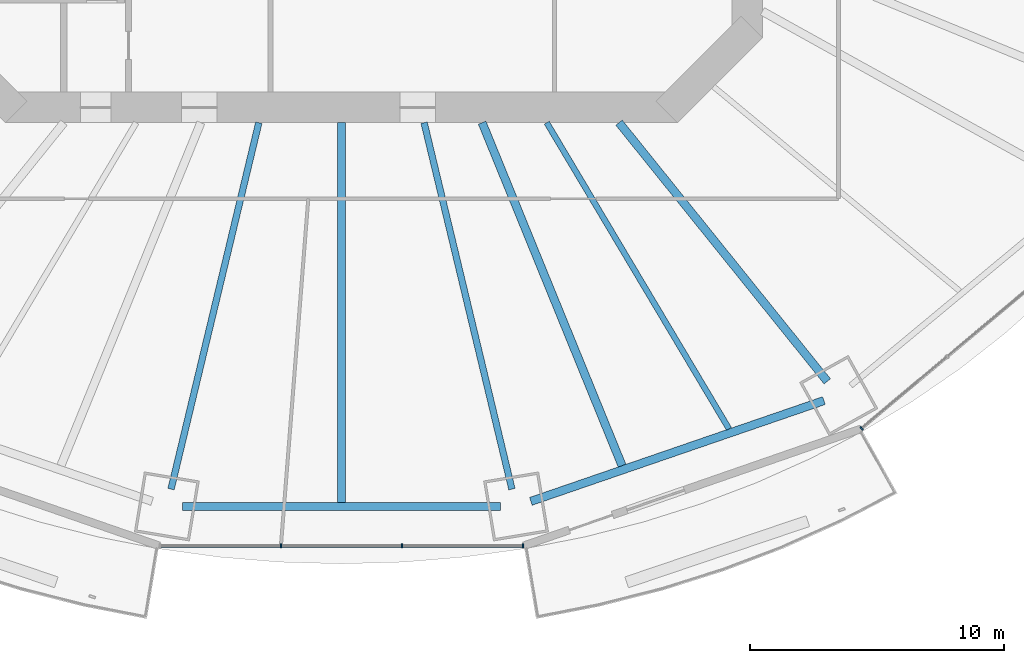
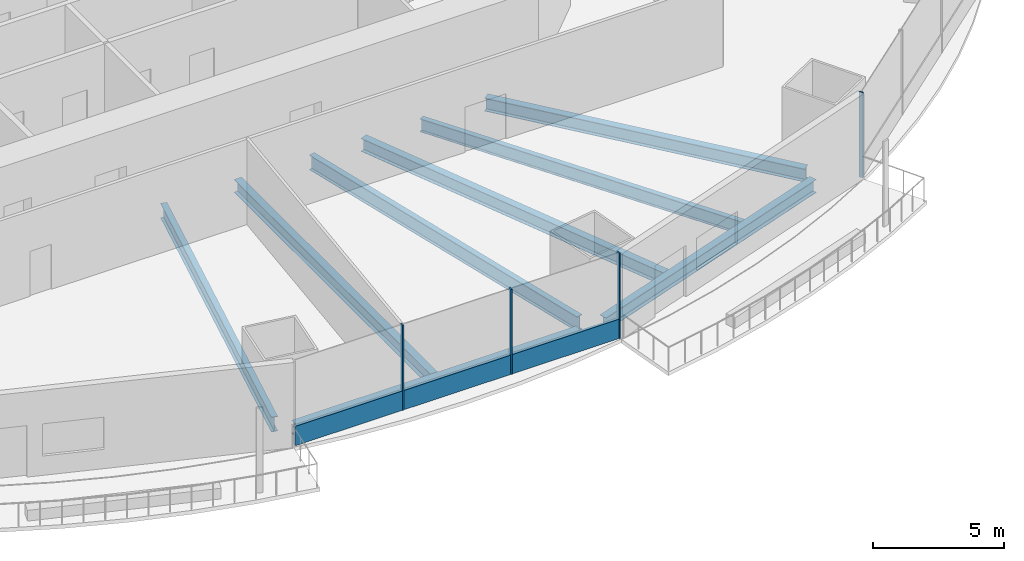
# One storey, part 4 of 23: 8 beams, 5 members, 2 elements without a shape of their own.
"""IFC4 building model written with IfcOpenShell, lengths in metres."""

from ifc_helpers import new_model, si_unit, direction, frame, origin, origin_2d, place, context, subcontext, project, spatial, rectangle, i_section, extrude, material, material_profile, profile_set, type_object, element, aggregate, save


model = new_model("IFC4")

# Units and contexts
model_context = context("Model", 3, precision=1e-05, world=origin(), true_north=direction((0.0, 1.0)))
body_context = subcontext(model_context, "Body", "Model", "MODEL_VIEW")
ifc_project = project(units=[si_unit("LENGTHUNIT", "METRE"), si_unit("AREAUNIT", "SQUARE_METRE"), si_unit("VOLUMEUNIT", "CUBIC_METRE"), si_unit("PLANEANGLEUNIT", "RADIAN"), si_unit("MASSUNIT", "GRAM", prefix="KILO")], contexts=[model_context])

# Site, building, storey
site_placement = place(None, origin())
site = spatial("IfcSite", under=ifc_project, at=site_placement, CompositionType="ELEMENT")
building_placement = place(site_placement, origin())
building = spatial("IfcBuilding", under=site, at=building_placement, Name="Marenthal Gate Tower", CompositionType="ELEMENT")
storey_placement = place(building_placement, frame((0.0, 0.0, 37.14990234375)))
storey = spatial("IfcBuildingStorey", under=building, at=storey_placement, Name="L05", CompositionType="ELEMENT", Elevation=37.14990234375)

# Curtain wall, members
ifc_material_1 = material(Name="Aluminium and glass", Category="aluminium")
curtain_wall_type = type_object("IfcCurtainWallType", Name="Curtain wall typical low", PredefinedType="NOTDEFINED", material=ifc_material_1)
curtain_wall_1_placement = place(storey_placement, origin())
curtain_wall_1 = element("IfcCurtainWall", 1, at=curtain_wall_1_placement, inside=storey, type_object=curtain_wall_type, Name="Curtain wall L05 bay 12", PredefinedType="NOTDEFINED")
ifc_material_2 = material(Name="Aluminium", Category="aluminium")
ifc_material_profile_1 = material_profile(ifc_material_2, rectangle(XDim=0.159912109375, YDim=0.06005859375, at=origin_2d()), Name="60x160 aluminium mullion")
ifc_profile_set_1 = profile_set([ifc_material_profile_1], Name="Aluminium")
member_type_1 = type_object("IfcMemberType", Name="Mullion 60x160 typical low", PredefinedType="MULLION", material=ifc_profile_set_1)
member_1_placement = place(storey_placement, frame((-2.38818359375, -30.28662109375, 0.0), z_axis=(0.0, 0.0, 1.0), x_axis=(0.0, 1.0, 0.0)))
member_1 = element("IfcMember", 2, at=member_1_placement, type_object=member_type_1, Name="Mullion L05 bay 12.2", PredefinedType="MULLION", context=body_context, shape_type="SweptSolid", body=[
    extrude(rectangle(XDim=0.159912109375, YDim=0.06005859375, at=origin_2d()), origin(), (0.0, 0.0, 1.0), 3.97021484375),
])
member_2_placement = place(storey_placement, frame((2.38818359375, -30.28662109375, 0.0), z_axis=(0.0, 0.0, 1.0), x_axis=(0.0, 1.0, 0.0)))
member_2 = element("IfcMember", 3, at=member_2_placement, type_object=member_type_1, Name="Mullion L05 bay 12.3", PredefinedType="MULLION", context=body_context, shape_type="SweptSolid", body=[
    extrude(rectangle(XDim=0.159912109375, YDim=0.06005859375, at=origin_2d()), origin(), (0.0, 0.0, 1.0), 3.97021484375),
])
member_3_placement = place(storey_placement, frame((7.164794921875, -30.28662109375, 0.0), z_axis=(0.0, 0.0, 1.0), x_axis=(0.0, 1.0, 0.0)))
member_3 = element("IfcMember", 4, at=member_3_placement, type_object=member_type_1, Name="Mullion L05 bay 12.4", PredefinedType="MULLION", context=body_context, shape_type="SweptSolid", body=[
    extrude(rectangle(XDim=0.159912109375, YDim=0.06005859375, at=origin_2d()), origin(), (0.0, 0.0, 1.0), 3.97021484375),
])

# Curtain wall, member
curtain_wall_2_placement = place(storey_placement, origin())
curtain_wall_2 = element("IfcCurtainWall", 5, at=curtain_wall_2_placement, inside=storey, type_object=curtain_wall_type, Name="Curtain wall L05 bay 14", PredefinedType="NOTDEFINED")
member_4_placement = place(storey_placement, frame((20.512451171875, -25.656494140625, 0.0), z_axis=(0.0, 0.0, 1.0), x_axis=(-0.641982192245, 0.76671954771, 0.0)))
member_4 = element("IfcMember", 6, at=member_4_placement, type_object=member_type_1, Name="Mullion L05 bay 14.1", PredefinedType="MULLION", context=body_context, shape_type="SweptSolid", body=[
    extrude(rectangle(XDim=0.159912109375, YDim=0.06005859375, at=origin_2d()), origin(), (0.0, 0.0, 1.0), 3.97021484375),
])
aggregate(curtain_wall_2, [member_4])

# Member
ifc_material_3 = material(Name="Aluminium", Category="aluminium")
ifc_material_profile_2 = material_profile(ifc_material_3, rectangle(XDim=0.1201171875, YDim=0.89990234375, at=origin_2d()), Name="120x900 aluminium transom")
ifc_profile_set_2 = profile_set([ifc_material_profile_2], Name="Aluminium")
member_type_2 = type_object("IfcMemberType", Name="Transom 120x900 typical low", PredefinedType="USERDEFINED", material=ifc_profile_set_2)
member_5_placement = place(storey_placement, frame((-7.135009765625, -30.28662109375, 0.4501953125), z_axis=(1.0, 0.0, 0.0), x_axis=(0.0, 1.0, 0.0)))
member_5 = element("IfcMember", 7, at=member_5_placement, type_object=member_type_2, Name="Transom L05 bay 12", ObjectType="TRANSOM", PredefinedType="USERDEFINED", context=body_context, shape_type="SweptSolid", body=[
    extrude(rectangle(XDim=0.1201171875, YDim=0.89990234375, at=origin_2d()), origin(), (0.0, 0.0, 1.0), 14.27001953125),
])

aggregate(curtain_wall_1, [member_1, member_2, member_3, member_5])

# Beams
ifc_material_4 = material(Name="Steel S355", Category="steel")
ifc_material_profile_3 = material_profile(ifc_material_4, i_section(OverallWidth=0.22900390625, OverallDepth=0.612060546875, WebThickness=0.011962890625, FlangeThickness=0.01953125, FilletRadius=0.0126953125, at=origin_2d()), Name="W610X125")
ifc_profile_set_3 = profile_set([ifc_material_profile_3], Name="Steel S355")
beam_type_1 = type_object("IfcBeamType", Name="W610X125 beam", PredefinedType="BEAM", material=ifc_profile_set_3)
beam_1_placement = place(storey_placement, frame((15.28515625, -25.677734375, -0.48583984375), z_axis=(-0.511504014048, 0.859280887494, 0.0), x_axis=(-0.859280887494, -0.511504014048, 0.0)))
element("IfcBeam", 8, at=beam_1_placement, inside=storey, type_object=beam_type_1, Name="BM-L05-36", PredefinedType="BEAM", context=body_context, shape_type="SweptSolid", body=[
    extrude(i_section(OverallWidth=0.22900390625, OverallDepth=0.612060546875, WebThickness=0.011962890625, FlangeThickness=0.01953125, FilletRadius=0.0126953125, at=origin_2d()), origin(), (0.0, 0.0, 1.0), 14.055419921875),
])
ifc_material_5 = material(Name="Steel S355", Category="steel")
ifc_material_profile_4 = material_profile(ifc_material_5, i_section(OverallWidth=0.324951171875, OverallDepth=0.612060546875, WebThickness=0.0126953125, FlangeThickness=0.01904296875, FilletRadius=0.0126953125, at=origin_2d()), Name="W610X155")
ifc_profile_set_4 = profile_set([ifc_material_profile_4], Name="Steel S355")
beam_type_2 = type_object("IfcBeamType", Name="W610X155 beam", PredefinedType="BEAM", material=ifc_profile_set_4)
beam_2_placement = place(storey_placement, frame((19.161376953125, -23.802978515625, -0.48583984375), z_axis=(-0.627069823545, 0.778963052012, 0.0), x_axis=(-0.778963052012, -0.627069823545, 0.0)))
element("IfcBeam", 9, at=beam_2_placement, inside=storey, type_object=beam_type_2, Name="BM-L05-14", PredefinedType="BEAM", context=body_context, shape_type="SweptSolid", body=[
    extrude(i_section(OverallWidth=0.324951171875, OverallDepth=0.612060546875, WebThickness=0.0126953125, FlangeThickness=0.01904296875, FilletRadius=0.0126953125, at=origin_2d()), origin(), (0.0, 0.0, 1.0), 13.09814453125),
])
beam_3_placement = place(storey_placement, frame((0.0, -28.574462890625, -0.48583984375), z_axis=(0.0, 1.0, 0.0), x_axis=(-1.0, 0.0, 0.0)))
element("IfcBeam", 10, at=beam_3_placement, inside=storey, type_object=beam_type_2, Name="BM-L05-34", PredefinedType="BEAM", context=body_context, shape_type="SweptSolid", body=[
    extrude(i_section(OverallWidth=0.324951171875, OverallDepth=0.612060546875, WebThickness=0.0126953125, FlangeThickness=0.01904296875, FilletRadius=0.0126953125, at=origin_2d()), origin(), (0.0, 0.0, 1.0), 14.974365234375),
])
beam_4_placement = place(storey_placement, frame((11.06689453125, -27.1279296875, -0.48583984375), z_axis=(-0.377734751458, 0.925913849956, 0.0), x_axis=(-0.925913849956, -0.377734751458, 0.0)))
element("IfcBeam", 11, at=beam_4_placement, inside=storey, type_object=beam_type_2, Name="BM-L05-35", PredefinedType="BEAM", context=body_context, shape_type="SweptSolid", body=[
    extrude(i_section(OverallWidth=0.324951171875, OverallDepth=0.612060546875, WebThickness=0.0126953125, FlangeThickness=0.01904296875, FilletRadius=0.0126953125, at=origin_2d()), origin(), (0.0, 0.0, 1.0), 14.6103515625),
])
beam_5_placement = place(storey_placement, frame((-6.271728515625, -28.737060546875, -0.48583984375), z_axis=(1.0, 0.0, 0.0), x_axis=(0.0, 1.0, 0.0)))
element("IfcBeam", 12, at=beam_5_placement, inside=storey, type_object=beam_type_2, Name="BM-L05-52", PredefinedType="BEAM", context=body_context, shape_type="SweptSolid", body=[
    extrude(i_section(OverallWidth=0.324951171875, OverallDepth=0.612060546875, WebThickness=0.0126953125, FlangeThickness=0.01904296875, FilletRadius=0.0126953125, at=origin_2d()), origin(), (0.0, 0.0, 1.0), 12.54345703125),
])
beam_6_placement = place(storey_placement, frame((7.468994140625, -28.536865234375, -0.48583984375), z_axis=(0.945669328234, 0.325130007287, 0.0), x_axis=(-0.325130007287, 0.945669328234, 0.0)))
element("IfcBeam", 13, at=beam_6_placement, inside=storey, type_object=beam_type_2, Name="BM-L05-53", PredefinedType="BEAM", context=body_context, shape_type="SweptSolid", body=[
    extrude(i_section(OverallWidth=0.324951171875, OverallDepth=0.612060546875, WebThickness=0.0126953125, FlangeThickness=0.01904296875, FilletRadius=0.0126953125, at=origin_2d()), origin(), (0.0, 0.0, 1.0), 12.22314453125),
])
ifc_material_6 = material(Name="Steel S355", Category="steel")
ifc_material_profile_5 = material_profile(ifc_material_6, i_section(OverallWidth=0.257080078125, OverallDepth=0.693115234375, WebThickness=0.014404296875, FlangeThickness=0.023681640625, FilletRadius=0.015380859375, at=origin_2d()), Name="W690X170")
ifc_profile_set_5 = profile_set([ifc_material_profile_5], Name="Steel S355")
beam_type_3 = type_object("IfcBeamType", Name="W690X170 beam", PredefinedType="BEAM", material=ifc_profile_set_5)
for number, where, z_axis, x_axis, name in (
    (14, (-6.722900390625, -28.05322265625, -0.5263671875), (0.233046764578, 0.972465529219, 0.0), (-0.972465529219, 0.233046764578, 0.0), "BM-L05-12"),
    (15, (6.722900390625, -28.05322265625, -0.5263671875), (-0.233046764578, 0.972465529219, 0.0), (-0.972465529219, -0.233046764578, 0.0), "BM-L05-13"),
):
    element("IfcBeam", number, at=place(storey_placement, frame(where, z_axis=z_axis, x_axis=x_axis)), inside=storey, type_object=beam_type_3, Name=name, PredefinedType="BEAM", context=body_context, shape_type="SweptSolid", body=[
        extrude(i_section(OverallWidth=0.257080078125, OverallDepth=0.693115234375, WebThickness=0.014404296875, FlangeThickness=0.023681640625, FilletRadius=0.015380859375, at=origin_2d()), origin(), (0.0, 0.0, 1.0), 14.8623046875),
    ])

save(model, "model.ifc")
